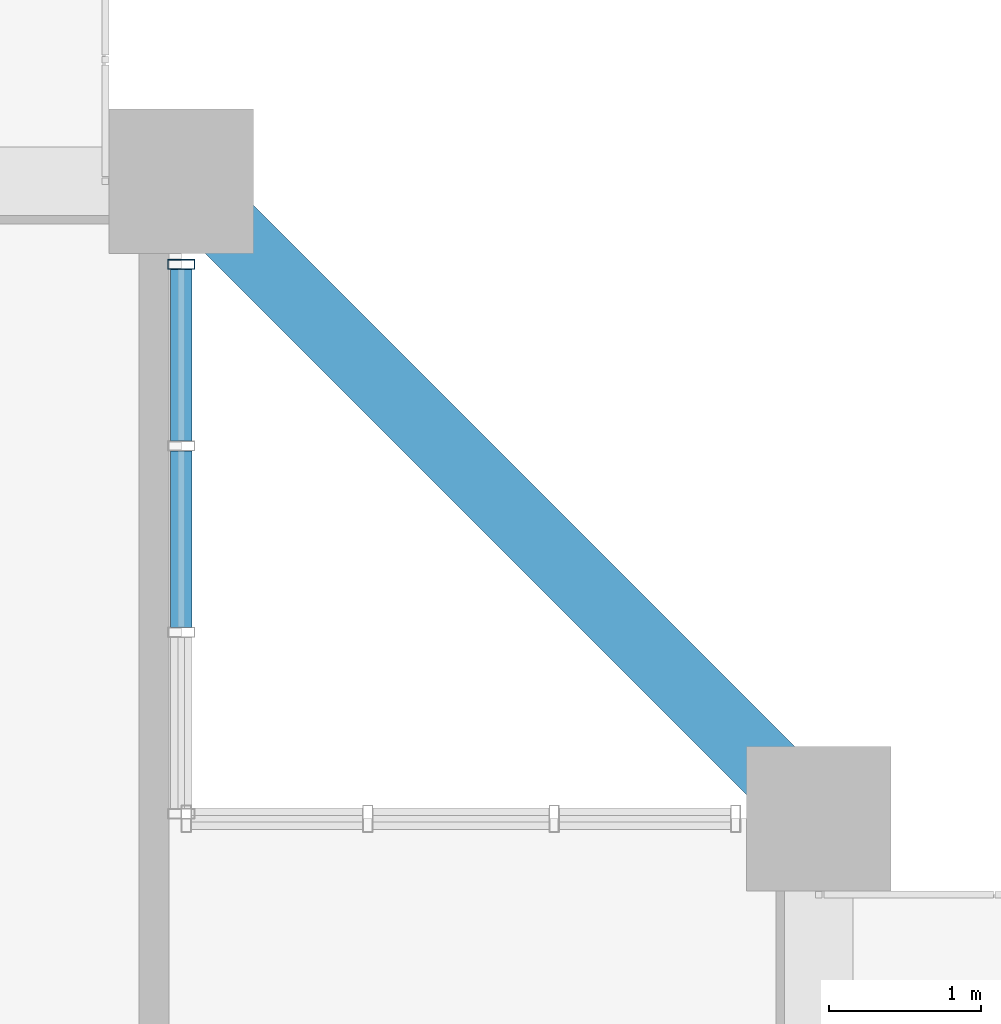
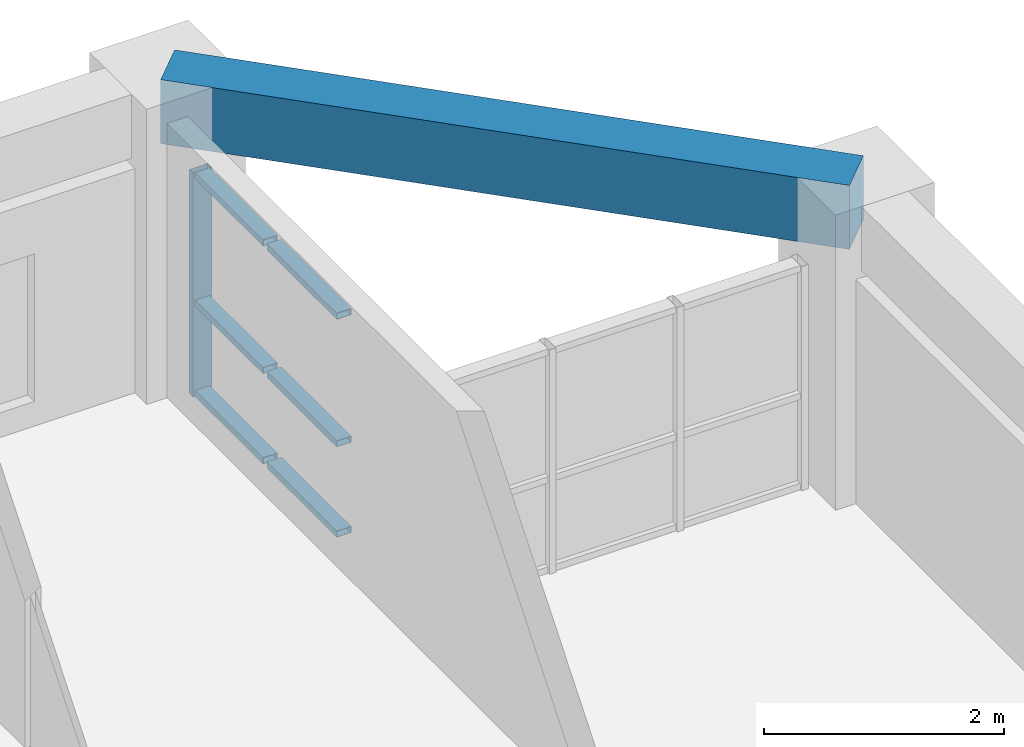
# One storey, part 12 of 26: 7 members, 1 beam, 1 element without a shape of its own.
"""IFC4 building model written with IfcOpenShell, lengths in metres."""

import ifcopenshell
import ifcopenshell.guid

model = None  # the IFC model being written
_history = None  # IfcOwnerHistory: only IFC2X3 demands one
_inside = {}  # id of a spatial element -> (the spatial element, [elements in it])
_under = {}  # id of a project, library or spatial element -> (it, [spatial elements below it])
_declared = {}  # id of a project -> (the project, [libraries it declares])
_typed = {}  # id of a type object -> (the type object, [elements of that type])
_made_of = {}  # id of a material, layer set ... -> (it, [elements and type objects made of it])


def new_model(schema):
    """Start an empty IFC model of exactly this schema.

    Asked for "IFC4X3", IfcOpenShell would pick the latest addendum, in which some entities
    have other attributes; the version numbers below select the first issue.
    IFC2X3 requires an IfcOwnerHistory on every rooted entity: one is made here for all.
    """
    global model, _history
    if schema == "IFC4X3":
        model = ifcopenshell.file(schema_version=(4, 3, 0, 0))
    else:
        model = ifcopenshell.file(schema=schema)
    _inside.clear()
    _under.clear()
    _declared.clear()
    _typed.clear()
    _made_of.clear()
    _history = None
    if model.schema == "IFC2X3":
        org = make("IfcOrganization", Name="unknown")
        user = make(
            "IfcPersonAndOrganization",
            ThePerson=make("IfcPerson", FamilyName="unknown"),
            TheOrganization=org,
        )
        app = make(
            "IfcApplication",
            ApplicationDeveloper=org,
            Version="unknown",
            ApplicationFullName="unknown",
            ApplicationIdentifier="unknown",
        )
        _history = make(
            "IfcOwnerHistory",
            OwningUser=user,
            OwningApplication=app,
            ChangeAction="ADDED",
            CreationDate=0,
        )
    return model


def make(cls, **values):
    """One entity of the class cls with the attributes given. An attribute that is None is left unset."""
    return model.create_entity(
        cls, **{name: value for name, value in values.items() if value is not None}
    )


def rooted(cls, **values):
    """An entity with a GlobalId (a new one), such as an element, a storey or a relation."""
    return make(cls, GlobalId=ifcopenshell.guid.new(), OwnerHistory=_history, **values)


def si_unit(unit_type, name, prefix=None):
    """IfcSIUnit, for example si_unit("LENGTHUNIT", "METRE", prefix="MILLI")."""
    return make("IfcSIUnit", UnitType=unit_type, Prefix=prefix, Name=name)


def assignment(units):
    """IfcUnitAssignment: the units of a project."""
    return None if units is None else make("IfcUnitAssignment", Units=units)


def point(xyz):
    """IfcCartesianPoint."""
    return None if xyz is None else make("IfcCartesianPoint", Coordinates=xyz)


def direction(xyz):
    """IfcDirection."""
    return None if xyz is None else make("IfcDirection", DirectionRatios=xyz)


def frame(location, z_axis=None, x_axis=None):
    """IfcAxis2Placement3D, a coordinate frame: its origin and axes. An axis left out is left unset."""
    return make(
        "IfcAxis2Placement3D",
        Location=point(location),
        Axis=direction(z_axis),
        RefDirection=direction(x_axis),
    )


def frame_2d(location, x_axis=None):
    """IfcAxis2Placement2D, a coordinate frame in the plane: its origin and x axis."""
    return make(
        "IfcAxis2Placement2D", Location=point(location), RefDirection=direction(x_axis)
    )


def origin():
    """The frame at (0, 0, 0) with its axes left unset."""
    return frame((0.0, 0.0, 0.0))


def origin_2d():
    """The frame at (0, 0) in the plane with its x axis left unset."""
    return frame_2d((0.0, 0.0))


def place(relative_to, where):
    """IfcLocalPlacement: puts the frame where relative to a parent placement (None: the world)."""
    return make(
        "IfcLocalPlacement", PlacementRelTo=relative_to, RelativePlacement=where
    )


def context(
    kind, dimensions, precision=None, world=None, true_north=None, identifier=None
):
    """IfcGeometricRepresentationContext, for example the 3D "Model" context."""
    return make(
        "IfcGeometricRepresentationContext",
        ContextIdentifier=identifier,
        ContextType=kind,
        CoordinateSpaceDimension=dimensions,
        Precision=precision,
        WorldCoordinateSystem=world,
        TrueNorth=true_north,
    )


def subcontext(parent, identifier, kind, view, scale=None):
    """IfcGeometricRepresentationSubContext, for example "Body" below "Model"."""
    return make(
        "IfcGeometricRepresentationSubContext",
        ContextIdentifier=identifier,
        ContextType=kind,
        ParentContext=parent,
        TargetScale=scale,
        TargetView=view,
    )


def project(units=None, contexts=None):
    """IfcProject with its units and contexts."""
    return rooted(
        "IfcProject",
        Name="project",
        RepresentationContexts=contexts,
        UnitsInContext=assignment(units),
    )


def spatial(cls, under=None, at=None, **own):
    """A site, building, storey or space (cls), placed at a placement, below another one or the project."""
    s = rooted(cls, ObjectPlacement=at, **own)
    if under is not None:
        _under.setdefault(under.id(), (under, []))[1].append(s)
    return s


def profile(cls, at=None, kind="AREA", **sizes):
    """A parametric profile (cls). Its sizes go by their IFC names, for example OverallWidth=200.0."""
    return make(cls, ProfileType=kind, Position=at, **sizes)


def rectangle(**sizes):
    """IfcRectangleProfileDef."""
    return profile("IfcRectangleProfileDef", **sizes)


def hollow_rectangle(**sizes):
    """IfcRectangleHollowProfileDef."""
    return profile("IfcRectangleHollowProfileDef", **sizes)


def extrude(swept, where, along, depth):
    """IfcExtrudedAreaSolid: the profile swept, set in the frame where, extruded along a direction by depth."""
    return make(
        "IfcExtrudedAreaSolid",
        SweptArea=swept,
        Position=where,
        ExtrudedDirection=direction(along),
        Depth=depth,
    )


def shape(context_of_items, identifier, shape_type, items):
    """IfcShapeRepresentation: the items that make up one representation, for example the "Body"."""
    return make(
        "IfcShapeRepresentation",
        ContextOfItems=context_of_items,
        RepresentationIdentifier=identifier,
        RepresentationType=shape_type,
        Items=items,
    )


def source(mapping_origin, context_of_items, identifier, shape_type, items):
    """IfcRepresentationMap: a shape defined once, which mapped items show again and again."""
    return make(
        "IfcRepresentationMap",
        MappingOrigin=mapping_origin,
        MappedRepresentation=shape(context_of_items, identifier, shape_type, items),
    )


def transform(
    local_origin,
    x_axis=None,
    y_axis=None,
    z_axis=None,
    scale=None,
    scale2=None,
    scale3=None,
    uniform=True,
):
    """IfcCartesianTransformationOperator3D, or its non-uniform kind. x_axis, y_axis, z_axis: its Axis1, 2, 3."""
    if uniform:
        return make(
            "IfcCartesianTransformationOperator3D",
            Axis1=direction(x_axis),
            Axis2=direction(y_axis),
            LocalOrigin=point(local_origin),
            Scale=scale,
            Axis3=direction(z_axis),
        )
    return make(
        "IfcCartesianTransformationOperator3DnonUniform",
        Axis1=direction(x_axis),
        Axis2=direction(y_axis),
        LocalOrigin=point(local_origin),
        Scale=scale,
        Axis3=direction(z_axis),
        Scale2=scale2,
        Scale3=scale3,
    )


def mapped(mapping_source, mapping_target):
    """IfcMappedItem: shows the shape of a source again, moved by a transform."""
    return make(
        "IfcMappedItem", MappingSource=mapping_source, MappingTarget=mapping_target
    )


def material(Name=None, Category=None):
    """IfcMaterial."""
    return make("IfcMaterial", Name=Name, Category=Category)


def layer(
    of_material, thickness, ventilated=None, Name=None, Category=None, Priority=None
):
    """IfcMaterialLayer: one layer of a wall or slab, of a material (None: an air gap)."""
    return make(
        "IfcMaterialLayer",
        Material=of_material,
        LayerThickness=thickness,
        IsVentilated=ventilated,
        Name=Name,
        Category=Category,
        Priority=Priority,
    )


def layer_set(layers, Name=None):
    """IfcMaterialLayerSet."""
    return make("IfcMaterialLayerSet", MaterialLayers=layers, LayerSetName=Name)


def material_profile(
    of_material, cross_section, Name=None, Category=None, Priority=None
):
    """IfcMaterialProfile: a cross section and its material."""
    return make(
        "IfcMaterialProfile",
        Name=Name,
        Material=of_material,
        Profile=cross_section,
        Priority=Priority,
        Category=Category,
    )


def profile_set(profiles, Name=None, composite=None):
    """IfcMaterialProfileSet."""
    return make(
        "IfcMaterialProfileSet",
        Name=Name,
        MaterialProfiles=profiles,
        CompositeProfile=composite,
    )


def made_of(thing, what):
    """Note that an element or type object is made of a material, layer set ...; save() writes the relation."""
    if what is not None:
        _made_of.setdefault(what.id(), (what, []))[1].append(thing)
    return thing


def type_object(cls, material=None, **own):
    """A type object (cls), such as IfcWallType, which elements share."""
    return made_of(rooted(cls, **own), material)


def element(
    cls,
    number,
    at=None,
    inside=None,
    cuts=None,
    type_object=None,
    material=None,
    context=None,
    identifier="Body",
    shape_type=None,
    held_by="IfcProductDefinitionShape",
    body=None,
    shapes=None,
    **own,
):
    """One element of the class cls, such as IfcWall. Its Tag is "e" and its number.

    at: its placement. inside: the storey or other place that contains it. cuts: it is an
    opening in that element (IfcRelVoidsElement). A single representation is given by context,
    identifier, shape_type and body (its items); several are given by shapes. held_by: the class
    of the entity that holds the representations. save() writes the other relations.
    """
    e = rooted(cls, Tag="e%d" % number, ObjectPlacement=at, **own)
    if body is not None:
        shapes = [shape(context, identifier, shape_type, body)]
    if shapes is not None:
        e.Representation = make(held_by, Representations=shapes)
    if inside is not None:
        _inside.setdefault(inside.id(), (inside, []))[1].append(e)
    if cuts is not None:
        rooted(
            "IfcRelVoidsElement", RelatingBuildingElement=cuts, RelatedOpeningElement=e
        )
    if type_object is not None:
        _typed.setdefault(type_object.id(), (type_object, []))[1].append(e)
    return made_of(e, material)


def aggregate(whole, parts):
    """IfcRelAggregates: a whole, such as a stair, and the parts it consists of."""
    return rooted("IfcRelAggregates", RelatingObject=whole, RelatedObjects=parts)


def save(model, path):
    """Write the relations noted so far, then the file.

    IfcRelAggregates (storeys below a building ...), IfcRelContainedInSpatialStructure (elements
    in a storey), IfcRelDefinesByType, IfcRelAssociatesMaterial and IfcRelDeclares: one each for
    every whole, place, type object, material and project.
    """
    for whole, parts in _under.values():
        aggregate(whole, parts)
    for where, things in _inside.values():
        rooted(
            "IfcRelContainedInSpatialStructure",
            RelatedElements=things,
            RelatingStructure=where,
        )
    for kind, things in _typed.values():
        rooted("IfcRelDefinesByType", RelatedObjects=things, RelatingType=kind)
    for what, things in _made_of.values():
        rooted("IfcRelAssociatesMaterial", RelatedObjects=things, RelatingMaterial=what)
    for by, libraries in _declared.values():
        rooted("IfcRelDeclares", RelatingContext=by, RelatedDefinitions=libraries)
    model.write(path)


model = new_model("IFC4")

# Units and contexts
model_context = context("Model", 3, precision=1e-05, world=origin(), true_north=direction((0.0, 1.0)))
body_context = subcontext(model_context, "Body", "Model", "MODEL_VIEW")
ifc_project = project(units=[si_unit("LENGTHUNIT", "METRE"), si_unit("AREAUNIT", "SQUARE_METRE"), si_unit("VOLUMEUNIT", "CUBIC_METRE"), si_unit("PLANEANGLEUNIT", "RADIAN"), si_unit("MASSUNIT", "GRAM", prefix="KILO")], contexts=[model_context])

# Site, building, storey
site_placement = place(None, origin())
site = spatial("IfcSite", under=ifc_project, at=site_placement, CompositionType="ELEMENT")
building_placement = place(site_placement, origin())
building = spatial("IfcBuilding", under=site, at=building_placement, Name="Saelheon Loggia Tower", CompositionType="ELEMENT")
storey_placement = place(building_placement, frame((0.0, 0.0, 89.85009765625)))
storey = spatial("IfcBuildingStorey", under=building, at=storey_placement, Name="L28", CompositionType="ELEMENT", Elevation=89.85009765625)

# Beam
ifc_material_1 = material(Name="Concrete C40/50", Category="concrete")
ifc_material_profile_1 = material_profile(ifc_material_1, rectangle(XDim=0.449951171875, YDim=0.64990234375, at=origin_2d()), Name="RC-450x650")
ifc_profile_set_1 = profile_set([ifc_material_profile_1], Name="Concrete C40/50")
beam_type = type_object("IfcBeamType", Name="Beam_PerimTower_RC450x650", PredefinedType="BEAM", material=ifc_profile_set_1)
shared_shape_1 = source(origin(), body_context, "Body", "SweptSolid", [
    extrude(rectangle(XDim=0.449951171875, YDim=0.64990234375, at=origin_2d()), origin(), (0.0, 0.0, 1.0), 5.939697265625),
])
beam_placement = place(storey_placement, frame((64.0, 46.800048828125, 2.6748046875), z_axis=(-0.707106781187, 0.707106781187, 0.0), x_axis=(-0.707106781187, -0.707106781187, 0.0)))
element("IfcBeam", 1, at=beam_placement, inside=storey, type_object=beam_type, Name="L28 Perimeter Frame Girder 08", PredefinedType="BEAM", context=body_context, shape_type="MappedRepresentation", body=[
    mapped(shared_shape_1, transform((0.0, 0.0, 0.0), scale=1.0)),
])

# Curtain wall, members
ifc_material_2 = material(Name="Thermal-Break Aluminium and Triple Low-E Glass", Category="aluminium")
ifc_layer = layer(ifc_material_2, 0.159912109375)
ifc_layer_set = layer_set([ifc_layer], Name="Thermal-Break Aluminium and Triple Low-E Glass")
curtain_wall_type = type_object("IfcCurtainWallType", Name="CW_TowerLoggiaLow", PredefinedType="NOTDEFINED", material=ifc_layer_set)
curtain_wall_placement = place(storey_placement, origin())
curtain_wall = element("IfcCurtainWall", 2, at=curtain_wall_placement, inside=storey, type_object=curtain_wall_type, Name="L28 Corner Notch Glazing NE1", PredefinedType="NOTDEFINED")
ifc_material_3 = material(Name="Anodised Aluminium 6063-T6", Category="aluminium")
ifc_material_profile_2 = material_profile(ifc_material_3, hollow_rectangle(XDim=0.06494140625, YDim=0.179931640625, WallThickness=0.00390625, at=origin_2d()), Name="RHS-180x65x4")
ifc_profile_set_2 = profile_set([ifc_material_profile_2], Name="Anodised Aluminium 6063-T6")
member_type_1 = type_object("IfcMemberType", Name="CW_TowerLoggiaLow_Mullion", PredefinedType="MULLION", material=ifc_profile_set_2)
shared_shape_2 = source(origin(), body_context, "Body", "SweptSolid", [
    extrude(hollow_rectangle(XDim=0.06494140625, YDim=0.179931640625, WallThickness=0.00390625, at=origin_2d()), origin(), (0.0, 0.0, 1.0), 2.27978515625),
])
member_1_placement = place(storey_placement, frame((59.800048828125, 50.452392578125, 0.0), z_axis=(0.0, 0.0, 1.0), x_axis=(0.0, 1.0, 0.0)))
member_1 = element("IfcMember", 3, at=member_1_placement, type_object=member_type_1, Name="CW3 mullion 4", PredefinedType="MULLION", context=body_context, shape_type="MappedRepresentation", body=[
    mapped(shared_shape_2, transform((0.0, 0.0, 0.0), scale=1.0)),
])
ifc_material_profile_3 = material_profile(ifc_material_3, hollow_rectangle(XDim=0.06494140625, YDim=0.139892578125, WallThickness=0.00390625, at=origin_2d()), Name="RHS-140x65x4")
ifc_profile_set_3 = profile_set([ifc_material_profile_3], Name="Anodised Aluminium 6063-T6")
member_type_2 = type_object("IfcMemberType", Name="CW_TowerLoggiaLow_Transom", PredefinedType="USERDEFINED", material=ifc_profile_set_3)
shared_shape_3 = source(origin(), body_context, "Body", "SweptSolid", [
    extrude(hollow_rectangle(XDim=0.06494140625, YDim=0.139892578125, WallThickness=0.00390625, at=origin_2d()), origin(), (0.0, 0.0, 1.0), 1.130859375),
])
member_2_placement = place(storey_placement, frame((59.800048828125, 49.2890625, 0.032470703125), z_axis=(0.0, 1.0, 0.0), x_axis=(0.0, 0.0, 1.0)))
member_2 = element("IfcMember", 4, at=member_2_placement, type_object=member_type_2, Name="CW3 transom 3.1", ObjectType="TRANSOM", PredefinedType="USERDEFINED", context=body_context, shape_type="MappedRepresentation", body=[
    mapped(shared_shape_3, transform((0.0, 0.0, 0.0), scale=1.0)),
])
member_3_placement = place(storey_placement, frame((59.800048828125, 49.2890625, 0.949951171875), z_axis=(0.0, 1.0, 0.0), x_axis=(0.0, 0.0, 1.0)))
member_3 = element("IfcMember", 5, at=member_3_placement, type_object=member_type_2, Name="CW3 transom 3.2", ObjectType="TRANSOM", PredefinedType="USERDEFINED", context=body_context, shape_type="MappedRepresentation", body=[
    mapped(shared_shape_3, transform((0.0, 0.0, 0.0), scale=1.0)),
])
member_4_placement = place(storey_placement, frame((59.800048828125, 49.2890625, 2.247314453125), z_axis=(0.0, 1.0, 0.0), x_axis=(0.0, 0.0, 1.0)))
member_4 = element("IfcMember", 6, at=member_4_placement, type_object=member_type_2, Name="CW3 transom 3.3", ObjectType="TRANSOM", PredefinedType="USERDEFINED", context=body_context, shape_type="MappedRepresentation", body=[
    mapped(shared_shape_3, transform((0.0, 0.0, 0.0), scale=1.0)),
])
shared_shape_4 = source(origin(), body_context, "Body", "SweptSolid", [
    extrude(hollow_rectangle(XDim=0.06494140625, YDim=0.139892578125, WallThickness=0.00390625, at=origin_2d()), origin(), (0.0, 0.0, 1.0), 1.163330078125),
])
member_5_placement = place(storey_placement, frame((59.800048828125, 48.060791015625, 0.032470703125), z_axis=(0.0, 1.0, 0.0), x_axis=(0.0, 0.0, 1.0)))
member_5 = element("IfcMember", 7, at=member_5_placement, type_object=member_type_2, Name="CW3 transom 2.1", ObjectType="TRANSOM", PredefinedType="USERDEFINED", context=body_context, shape_type="MappedRepresentation", body=[
    mapped(shared_shape_4, transform((0.0, 0.0, 0.0), scale=1.0)),
])
member_6_placement = place(storey_placement, frame((59.800048828125, 48.060791015625, 0.949951171875), z_axis=(0.0, 1.0, 0.0), x_axis=(0.0, 0.0, 1.0)))
member_6 = element("IfcMember", 8, at=member_6_placement, type_object=member_type_2, Name="CW3 transom 2.2", ObjectType="TRANSOM", PredefinedType="USERDEFINED", context=body_context, shape_type="MappedRepresentation", body=[
    mapped(shared_shape_4, transform((0.0, 0.0, 0.0), scale=1.0)),
])
member_7_placement = place(storey_placement, frame((59.800048828125, 48.060791015625, 2.247314453125), z_axis=(0.0, 1.0, 0.0), x_axis=(0.0, 0.0, 1.0)))
member_7 = element("IfcMember", 9, at=member_7_placement, type_object=member_type_2, Name="CW3 transom 2.3", ObjectType="TRANSOM", PredefinedType="USERDEFINED", context=body_context, shape_type="MappedRepresentation", body=[
    mapped(shared_shape_4, transform((0.0, 0.0, 0.0), scale=1.0)),
])
aggregate(curtain_wall, [member_1, member_5, member_6, member_7, member_2, member_3, member_4])

save(model, "model.ifc")
